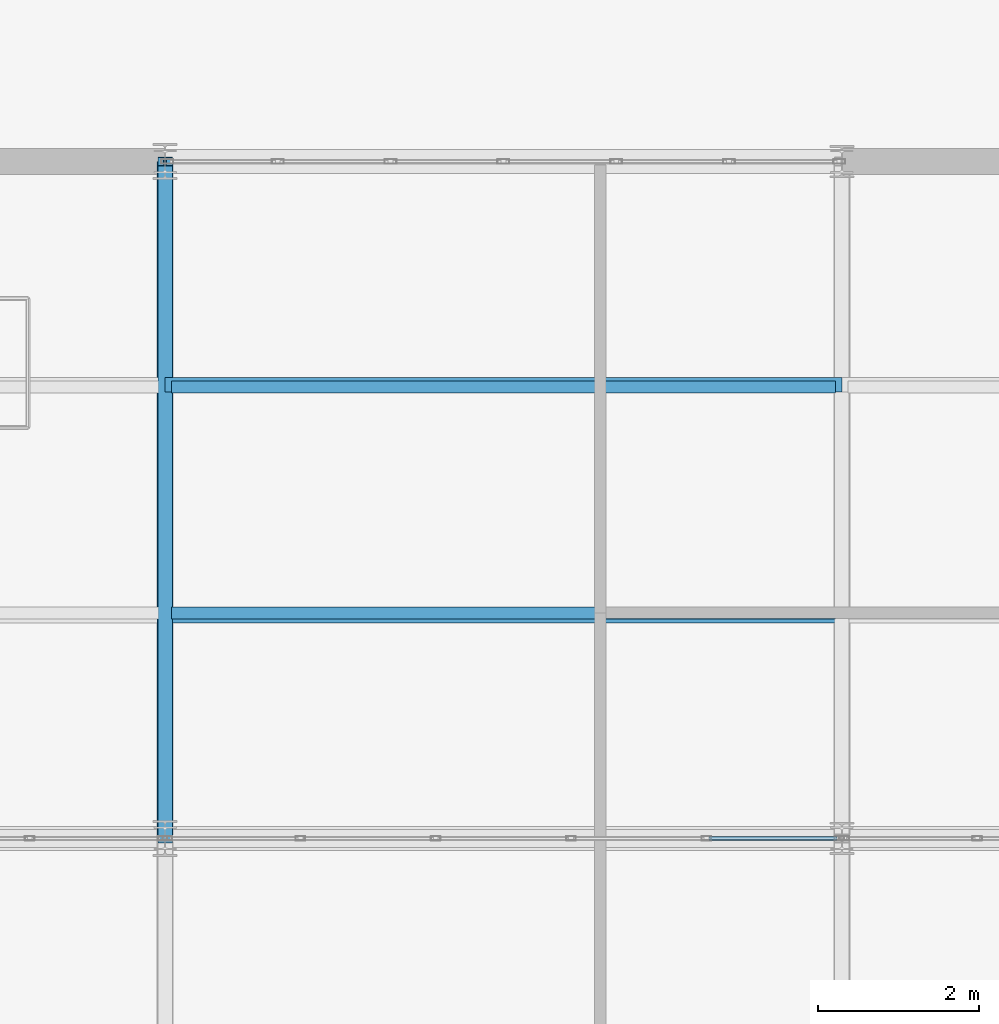
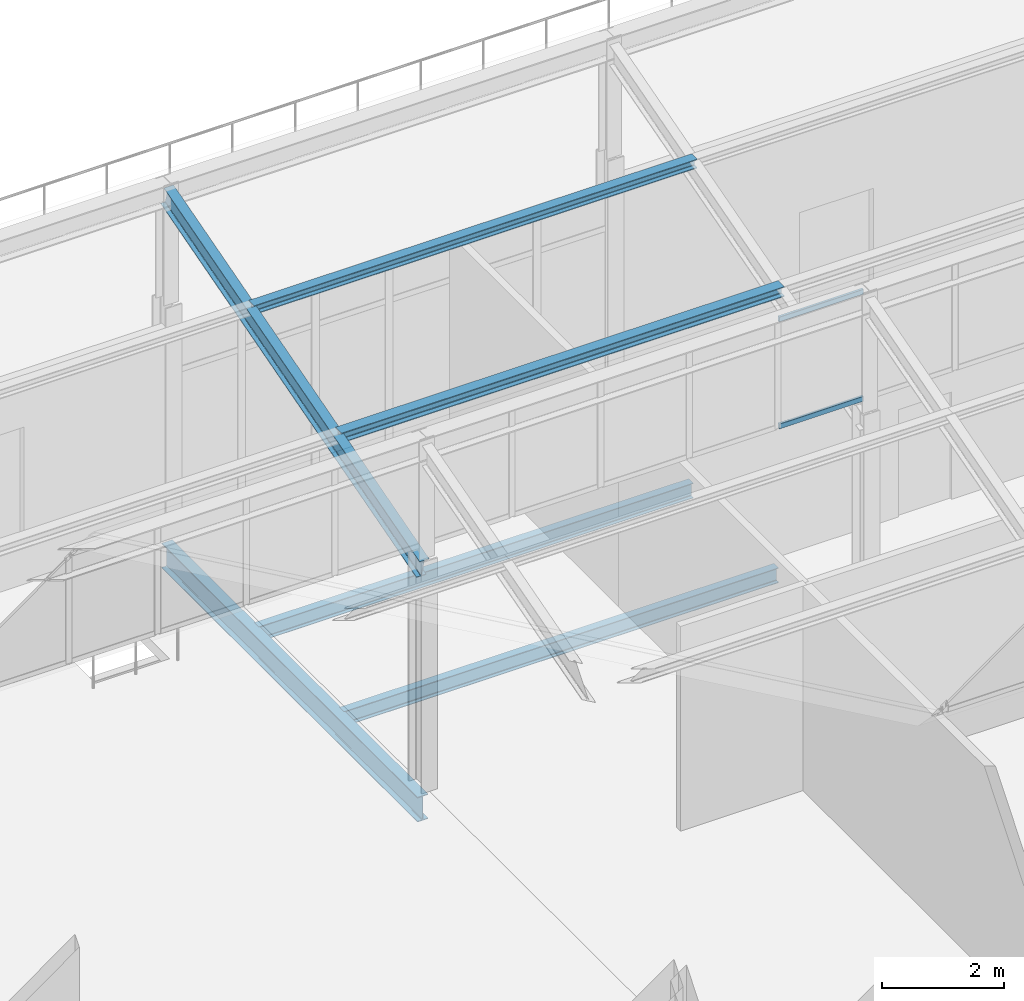
# One storey, part 27 of 53: 4 beams, 4 members, 1 element without a shape of its own.
"""IFC4 building model written with IfcOpenShell, lengths in metres."""

from ifc_helpers import new_model, si_unit, direction, frame, origin, origin_2d, place, context, subcontext, project, spatial, hollow_rectangle, i_section, extrude, material, layer, layer_set, material_profile, profile_set, type_object, element, aggregate, save


model = new_model("IFC4")

# Units and contexts
model_context = context("Model", 3, precision=1e-05, world=origin(), true_north=direction((0.0, 1.0)))
body_context = subcontext(model_context, "Body", "Model", "MODEL_VIEW")
ifc_project = project(units=[si_unit("LENGTHUNIT", "METRE"), si_unit("AREAUNIT", "SQUARE_METRE"), si_unit("VOLUMEUNIT", "CUBIC_METRE"), si_unit("PLANEANGLEUNIT", "RADIAN"), si_unit("MASSUNIT", "GRAM", prefix="KILO")], contexts=[model_context])

# Site, building, storey
site_placement = place(None, origin())
site = spatial("IfcSite", under=ifc_project, at=site_placement, CompositionType="ELEMENT")
building_placement = place(site_placement, origin())
building = spatial("IfcBuilding", under=site, at=building_placement, Name="Qalvenar Corner Mobility Hub", CompositionType="ELEMENT")
storey_placement = place(building_placement, frame((0.0, 0.0, 26.39990234375)))
storey = spatial("IfcBuildingStorey", under=building, at=storey_placement, Name="L06", CompositionType="ELEMENT", Elevation=26.39990234375)

# Beams
ifc_material_1 = material(Name="Steel S355", Category="steel")
ifc_material_profile_1 = material_profile(ifc_material_1, i_section(OverallWidth=0.179931640625, OverallDepth=0.39990234375, WebThickness=0.008544921875, FlangeThickness=0.013427734375, FilletRadius=0.02099609375, at=origin_2d()), Name="IPE400")
ifc_profile_set_1 = profile_set([ifc_material_profile_1], Name="Steel S355")
beam_type_1 = type_object("IfcBeamType", Name="BM-IPE400", PredefinedType="BEAM", material=ifc_profile_set_1)
beam_1_placement = place(storey_placement, frame((16.800048828125, 25.199951171875, 4.340087890625), z_axis=(0.0, 0.961528165748, 0.274706364092), x_axis=(-1.0, 0.0, 0.0)))
element("IfcBeam", 1, at=beam_1_placement, inside=storey, type_object=beam_type_1, Name="Sawtooth Rafter V3RF-4-3", PredefinedType="BEAM", context=body_context, shape_type="SweptSolid", body=[
    extrude(i_section(OverallWidth=0.179931640625, OverallDepth=0.39990234375, WebThickness=0.008544921875, FlangeThickness=0.013427734375, FilletRadius=0.02099609375, at=origin_2d()), origin(), (0.0, 0.0, 1.0), 8.736328125),
])
ifc_material_profile_2 = material_profile(ifc_material_1, i_section(OverallWidth=0.199951171875, OverallDepth=0.5, WebThickness=0.01025390625, FlangeThickness=0.01611328125, FilletRadius=0.02099609375, at=origin_2d()), Name="IPE500")
ifc_profile_set_2 = profile_set([ifc_material_profile_2], Name="Steel S355")
beam_type_2 = type_object("IfcBeamType", Name="BM-IPE500", PredefinedType="BEAM", material=ifc_profile_set_2)
beam_2_placement = place(storey_placement, frame((16.800048828125, 25.199951171875, -0.469970703125), z_axis=(0.0, 1.0, 0.0), x_axis=(-1.0, 0.0, 0.0)))
element("IfcBeam", 2, at=beam_2_placement, inside=storey, type_object=beam_type_2, Name="Primary Steel Girder GY-3088", PredefinedType="BEAM", context=body_context, shape_type="SweptSolid", body=[
    extrude(i_section(OverallWidth=0.199951171875, OverallDepth=0.5, WebThickness=0.01025390625, FlangeThickness=0.01611328125, FilletRadius=0.02099609375, at=origin_2d()), origin(), (0.0, 0.0, 1.0), 8.400146484375),
])
ifc_material_profile_3 = material_profile(ifc_material_1, i_section(OverallWidth=0.14990234375, OverallDepth=0.300048828125, WebThickness=0.007080078125, FlangeThickness=0.0107421875, FilletRadius=0.014892578125, at=origin_2d()), Name="IPE300")
ifc_profile_set_3 = profile_set([ifc_material_profile_3], Name="Steel S355")
beam_type_3 = type_object("IfcBeamType", Name="BM-JST300", PredefinedType="JOIST", material=ifc_profile_set_3)
for number, where, z_axis, x_axis, name in (
    (3, (16.8779296875, 28.0, -0.369873046875), (1.0, 0.0, 0.0), (0.0, 1.0, 0.0), "Composite Floor Joist J-3122"),
    (4, (16.8779296875, 30.800048828125, -0.369873046875), (1.0, 0.0, 0.0), (0.0, 1.0, 0.0), "Composite Floor Joist J-3123"),
):
    element("IfcBeam", number, at=place(storey_placement, frame(where, z_axis=z_axis, x_axis=x_axis)), inside=storey, type_object=beam_type_3, Name=name, PredefinedType="JOIST", context=body_context, shape_type="SweptSolid", body=[
        extrude(i_section(OverallWidth=0.14990234375, OverallDepth=0.300048828125, WebThickness=0.007080078125, FlangeThickness=0.0107421875, FilletRadius=0.014892578125, at=origin_2d()), origin(), (0.0, 0.0, 1.0), 8.244140625),
    ])

# Curtain wall, members
ifc_material_2 = material(Name="Anodised Aluminium and Low-E Glazing", Category="aluminium")
ifc_layer = layer(ifc_material_2, 0.1201171875)
ifc_layer_set = layer_set([ifc_layer], Name="Anodised Aluminium and Low-E Glazing")
curtain_wall_type = type_object("IfcCurtainWallType", Name="CW-CLR-84X24", PredefinedType="NOTDEFINED", material=ifc_layer_set)
curtain_wall_placement = place(storey_placement, origin())
curtain_wall = element("IfcCurtainWall", 5, at=curtain_wall_placement, inside=storey, type_object=curtain_wall_type, Name="Glazed Curtain Wall CW-V3-SAW-3-2", PredefinedType="NOTDEFINED")
ifc_material_3 = material(Name="Anodised Aluminium 6063-T6", Category="aluminium")
ifc_material_profile_4 = material_profile(ifc_material_3, hollow_rectangle(XDim=0.050048828125, YDim=0.10009765625, WallThickness=0.0029296875, InnerFilletRadius=0.0029296875, OuterFilletRadius=0.006103515625, at=origin_2d()), Name="RHS100x50x3")
ifc_profile_set_4 = profile_set([ifc_material_profile_4], Name="Anodised Aluminium 6063-T6")
member_type_1 = type_object("IfcMemberType", Name="CW-TRN100", PredefinedType="USERDEFINED", material=ifc_profile_set_4)
member_1_placement = place(storey_placement, frame((25.139892578125, 25.199951171875, 4.82763671875), z_axis=(-1.0, 0.0, 0.0), x_axis=(0.0, -1.0, 0.0)))
member_1 = element("IfcMember", 6, at=member_1_placement, type_object=member_type_1, Name="CW-12 transom 1.1", ObjectType="TRANSOM", PredefinedType="USERDEFINED", context=body_context, shape_type="SweptSolid", body=[
    extrude(hollow_rectangle(XDim=0.050048828125, YDim=0.10009765625, WallThickness=0.0029296875, InnerFilletRadius=0.0029296875, OuterFilletRadius=0.006103515625, at=origin_2d()), origin(), (0.0, 0.0, 1.0), 1.58984375),
])
member_2_placement = place(storey_placement, frame((25.139892578125, 25.199951171875, 6.97265625), z_axis=(-1.0, 0.0, 0.0), x_axis=(0.0, -1.0, 0.0)))
member_2 = element("IfcMember", 7, at=member_2_placement, type_object=member_type_1, Name="CW-12 transom 1.2", ObjectType="TRANSOM", PredefinedType="USERDEFINED", context=body_context, shape_type="SweptSolid", body=[
    extrude(hollow_rectangle(XDim=0.050048828125, YDim=0.10009765625, WallThickness=0.0029296875, InnerFilletRadius=0.0029296875, OuterFilletRadius=0.006103515625, at=origin_2d()), origin(), (0.0, 0.0, 1.0), 1.58984375),
])
aggregate(curtain_wall, [member_1, member_2])

# Members
ifc_material_profile_5 = material_profile(ifc_material_1, i_section(OverallWidth=0.179931640625, OverallDepth=0.179931640625, WebThickness=0.008544921875, FlangeThickness=0.013916015625, FilletRadius=0.014892578125, at=origin_2d()), Name="HEB180")
ifc_profile_set_5 = profile_set([ifc_material_profile_5], Name="Steel S355")
member_type_2 = type_object("IfcMemberType", Name="PR-RHS180", PredefinedType="PURLIN", material=ifc_profile_set_5)
member_3_placement = place(storey_placement, frame((16.800048828125, 30.827880859375, 6.148193359375), z_axis=(1.0, 0.0, 0.0), x_axis=(0.0, 1.0, 0.0)))
element("IfcMember", 8, at=member_3_placement, inside=storey, type_object=member_type_2, Name="Sawtooth Roof Purlin PR-V3-4-3-67", PredefinedType="PURLIN", context=body_context, shape_type="SweptSolid", body=[
    extrude(i_section(OverallWidth=0.179931640625, OverallDepth=0.179931640625, WebThickness=0.008544921875, FlangeThickness=0.013916015625, FilletRadius=0.014892578125, at=origin_2d()), origin(), (0.0, 0.0, 1.0), 8.39990234375),
])
ifc_material_profile_6 = material_profile(ifc_material_1, i_section(OverallWidth=0.199951171875, OverallDepth=0.199951171875, WebThickness=0.009033203125, FlangeThickness=0.014892578125, FilletRadius=0.01806640625, at=origin_2d()), Name="HEB200")
ifc_profile_set_6 = profile_set([ifc_material_profile_6], Name="Steel S355")
member_type_3 = type_object("IfcMemberType", Name="PR-RHS200", PredefinedType="PURLIN", material=ifc_profile_set_6)
member_4_placement = place(storey_placement, frame((16.800048828125, 27.971923828125, 5.322021484375), z_axis=(1.0, 0.0, 0.0), x_axis=(0.0, 1.0, 0.0)))
element("IfcMember", 9, at=member_4_placement, inside=storey, type_object=member_type_3, Name="Sawtooth Roof Purlin PR-V3-4-3-33", PredefinedType="PURLIN", context=body_context, shape_type="SweptSolid", body=[
    extrude(i_section(OverallWidth=0.199951171875, OverallDepth=0.199951171875, WebThickness=0.009033203125, FlangeThickness=0.014892578125, FilletRadius=0.01806640625, at=origin_2d()), origin(), (0.0, 0.0, 1.0), 8.39990234375),
])

save(model, "model.ifc")
